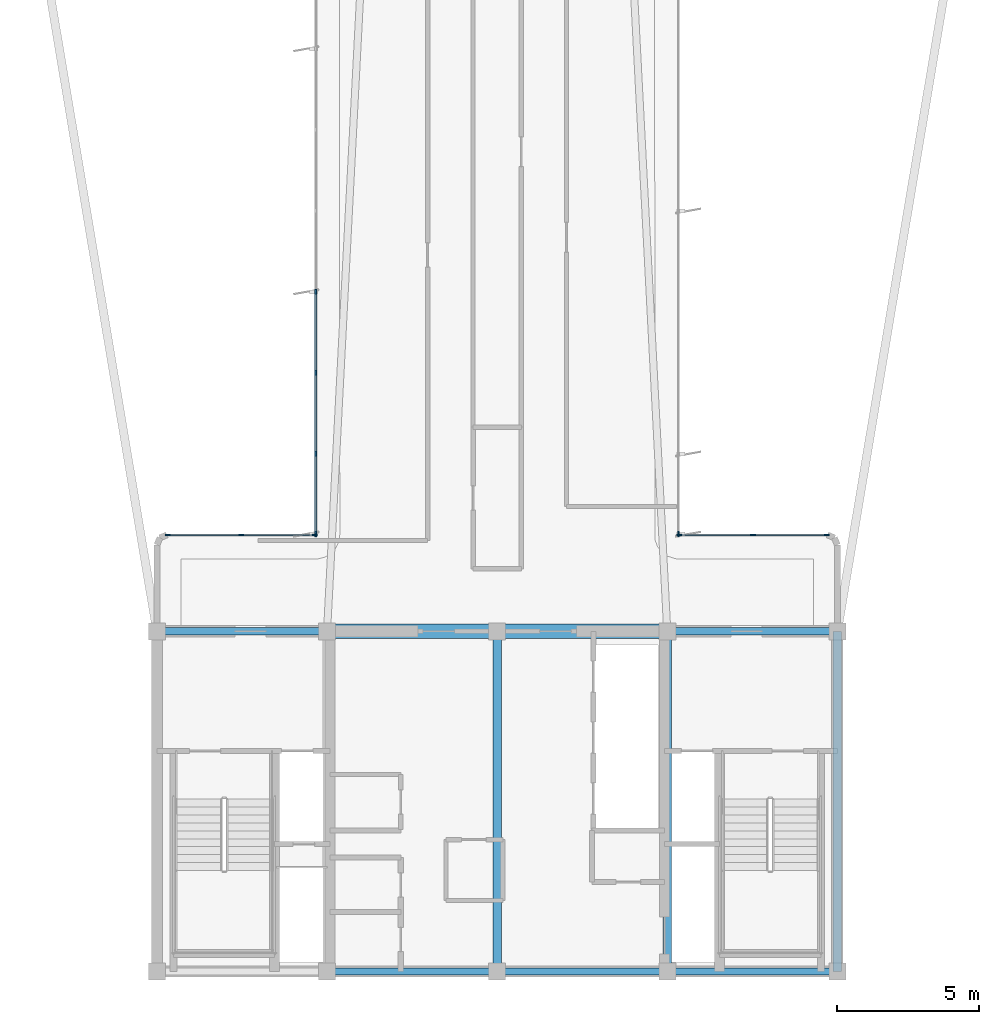
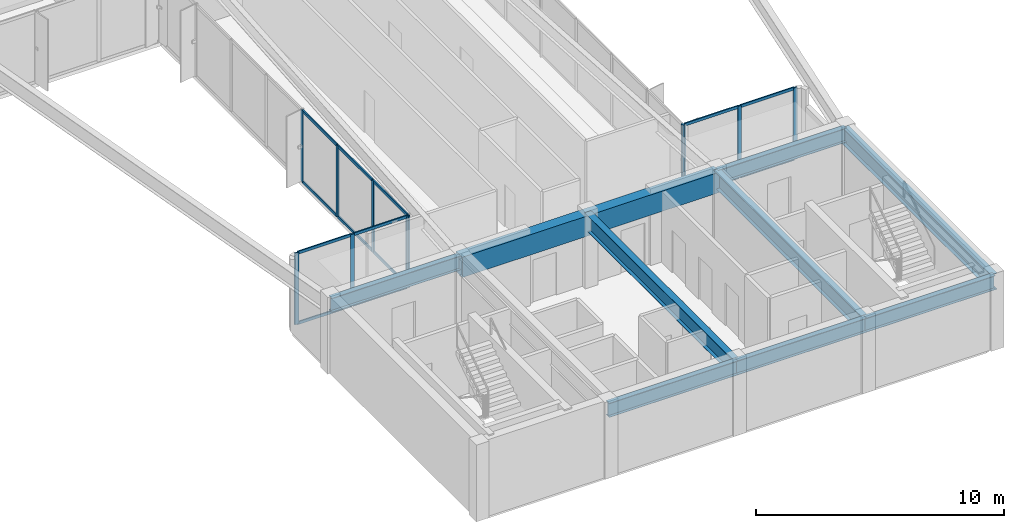
# One storey, part 2 of 15: 25 members, 9 beams, 4 elements without a shape of their own.
"""IFC4 building model written with IfcOpenShell, lengths in metres."""

from ifc_helpers import new_model, si_unit, direction, frame, origin, origin_2d, place, context, subcontext, project, spatial, rectangle, i_section, extrude, source, transform, mapped, material, layer, layer_set, material_profile, profile_set, type_object, element, aggregate, save


model = new_model("IFC4")

# Units and contexts
model_context = context("Model", 3, precision=1e-05, world=origin(), true_north=direction((0.0, 1.0)))
body_context = subcontext(model_context, "Body", "Model", "MODEL_VIEW")
ifc_project = project(units=[si_unit("LENGTHUNIT", "METRE"), si_unit("AREAUNIT", "SQUARE_METRE"), si_unit("VOLUMEUNIT", "CUBIC_METRE"), si_unit("PLANEANGLEUNIT", "RADIAN"), si_unit("MASSUNIT", "GRAM", prefix="KILO")], contexts=[model_context])

# Site, building, storey
site_placement = place(None, origin())
site = spatial("IfcSite", under=ifc_project, at=site_placement, CompositionType="ELEMENT")
building_placement = place(site_placement, origin())
building = spatial("IfcBuilding", under=site, at=building_placement, Name="Brelvock Crest Care Tower", CompositionType="ELEMENT")
storey_placement = place(building_placement, frame((0.0, 0.0, 268.3798828125)))
storey = spatial("IfcBuildingStorey", under=building, at=storey_placement, Name="L68", CompositionType="ELEMENT", Elevation=268.3798828125)

# Beams
ifc_material_1 = material(Name="Steel Grade 350", Category="steel")
ifc_material_profile_1 = material_profile(ifc_material_1, i_section(OverallWidth=0.25, OverallDepth=0.699951171875, WebThickness=0.011962890625, FlangeThickness=0.02001953125, at=origin_2d()), Name="700WB150")
ifc_profile_set_1 = profile_set([ifc_material_profile_1], Name="Steel Grade 350")
beam_type_1 = type_object("IfcBeamType", Name="BM-G4", PredefinedType="BEAM", material=ifc_profile_set_1)
shared_shape_1 = source(origin(), body_context, "Body", "SweptSolid", [
    extrude(i_section(OverallWidth=0.25, OverallDepth=0.699951171875, WebThickness=0.011962890625, FlangeThickness=0.02001953125, at=origin_2d()), origin(), (0.0, 0.0, 1.0), 6.0),
])
for number, where, z_axis, x_axis, name in (
    (1, (24.0, 18.0, 3.18017578125), (1.0, 0.0, 0.0), (0.0, 1.0, 0.0), "BM-COREN-L68-1"),
    (2, (30.0, 6.0, 3.18017578125), (1.0, 0.0, 0.0), (0.0, 1.0, 0.0), "BM-CORES-L68-2"),
    (3, (36.0, 6.0, 3.18017578125), (1.0, 0.0, 0.0), (0.0, 1.0, 0.0), "BM-CORES-L68-3"),
    (4, (42.0, 6.0, 3.18017578125), (1.0, 0.0, 0.0), (0.0, 1.0, 0.0), "BM-CORES-L68-4"),
    (5, (42.0, 18.0, 3.18017578125), (1.0, 0.0, 0.0), (0.0, 1.0, 0.0), "BM-COREN-L68-4"),
):
    element("IfcBeam", number, at=place(storey_placement, frame(where, z_axis=z_axis, x_axis=x_axis)), inside=storey, type_object=beam_type_1, Name=name, PredefinedType="BEAM", context=body_context, shape_type="MappedRepresentation", body=[
        mapped(shared_shape_1, transform((0.0, 0.0, 0.0), x_axis=(1.0, 0.0, 0.0), y_axis=(0.0, 1.0, 0.0), z_axis=(0.0, 0.0, 1.0), scale=1.0)),
    ])
ifc_material_profile_2 = material_profile(ifc_material_1, i_section(OverallWidth=0.300048828125, OverallDepth=0.800048828125, WebThickness=0.013916015625, FlangeThickness=0.02197265625, at=origin_2d()), Name="800WB192")
ifc_profile_set_2 = profile_set([ifc_material_profile_2], Name="Steel Grade 350")
beam_type_2 = type_object("IfcBeamType", Name="BM-G5", PredefinedType="BEAM", material=ifc_profile_set_2)
shared_shape_2 = source(origin(), body_context, "Body", "SweptSolid", [
    extrude(i_section(OverallWidth=0.300048828125, OverallDepth=0.800048828125, WebThickness=0.013916015625, FlangeThickness=0.02197265625, at=origin_2d()), origin(), (0.0, 0.0, 1.0), 12.0),
])
for number, where, z_axis, x_axis, name in (
    (6, (36.0, 6.0, 3.130126953125), (0.0, 1.0, 0.0), (-1.0, 0.0, 0.0), "BM-COREX-L68-3"),
    (7, (42.0, 6.0, 3.130126953125), (0.0, 1.0, 0.0), (-1.0, 0.0, 0.0), "BM-COREX-L68-4"),
    (8, (48.0, 6.0, 3.130126953125), (0.0, 1.0, 0.0), (-1.0, 0.0, 0.0), "BM-COREX-L68-5"),
):
    element("IfcBeam", number, at=place(storey_placement, frame(where, z_axis=z_axis, x_axis=x_axis)), inside=storey, type_object=beam_type_2, Name=name, PredefinedType="BEAM", context=body_context, shape_type="MappedRepresentation", body=[
        mapped(shared_shape_2, transform((0.0, 0.0, 0.0), x_axis=(1.0, 0.0, 0.0), y_axis=(0.0, 1.0, 0.0), z_axis=(0.0, 0.0, 1.0), scale=1.0)),
    ])
ifc_material_2 = material(Name="Concrete S65 (65 MPa)", Category="concrete")
ifc_material_profile_3 = material_profile(ifc_material_2, rectangle(XDim=0.5, YDim=1.0, at=origin_2d()), Name="RC500x1000")
ifc_profile_set_3 = profile_set([ifc_material_profile_3], Name="Concrete S65 (65 MPa)")
beam_type_3 = type_object("IfcBeamType", Name="BM-LN2", PredefinedType="LINTEL", material=ifc_profile_set_3)
shared_shape_3 = source(origin(), body_context, "Body", "SweptSolid", [
    extrude(rectangle(XDim=0.5, YDim=1.0, at=origin_2d()), origin(), (0.0, 0.0, 1.0), 12.0),
])
beam_placement = place(storey_placement, frame((30.0, 18.0, 3.030029296875), z_axis=(1.0, 0.0, 0.0), x_axis=(0.0, 1.0, 0.0)))
element("IfcBeam", 9, at=beam_placement, inside=storey, type_object=beam_type_3, Name="L68 Core Coupling Lintel Beam", PredefinedType="LINTEL", context=body_context, shape_type="MappedRepresentation", body=[
    mapped(shared_shape_3, transform((0.0, 0.0, 0.0), x_axis=(1.0, 0.0, 0.0), y_axis=(0.0, 1.0, 0.0), z_axis=(0.0, 0.0, 1.0), scale=1.0)),
])

# Curtain wall, members
ifc_material_3 = material(Name="Dark Glass Double Glazed Low-E", Category="glass")
ifc_layer = layer(ifc_material_3, 0.239990234375, Name="CWS-5")
ifc_layer_set = layer_set([ifc_layer], Name="Dark Glass Double Glazed Low-E")
curtain_wall_type = type_object("IfcCurtainWallType", Name="CWS-5", PredefinedType="NOTDEFINED", material=ifc_layer_set)
curtain_wall_1_placement = place(storey_placement, origin())
curtain_wall_1 = element("IfcCurtainWall", 10, at=curtain_wall_1_placement, inside=storey, type_object=curtain_wall_type, Name="L68 Curtain Wall E10", PredefinedType="NOTDEFINED")
ifc_material_4 = material(Name="Aluminium 6063-T6", Category="aluminium")
ifc_material_profile_4 = material_profile(ifc_material_4, rectangle(XDim=0.06005859375, YDim=0.179931640625, at=origin_2d()), Name="ALU60x180")
ifc_profile_set_4 = profile_set([ifc_material_profile_4], Name="Aluminium 6063-T6")
member_type_1 = type_object("IfcMemberType", Name="CWM-2", PredefinedType="MULLION", material=ifc_profile_set_4)
shared_shape_4 = source(origin(), body_context, "Body", "SweptSolid", [
    extrude(rectangle(XDim=0.06005859375, YDim=0.179931640625, at=origin_2d()), origin(), (0.0, 0.0, 1.0), 3.530029296875),
])
member_1_placement = place(storey_placement, frame((24.3798828125, 21.39990234375, 0.0), z_axis=(0.0, 0.0, 1.0), x_axis=(0.0, 1.0, 0.0)))
member_1 = element("IfcMember", 11, at=member_1_placement, type_object=member_type_1, Name="CW-5 mullion 1", PredefinedType="MULLION", context=body_context, shape_type="MappedRepresentation", body=[
    mapped(shared_shape_4, transform((0.0, 0.0, 0.0), x_axis=(1.0, 0.0, 0.0), y_axis=(0.0, 1.0, 0.0), z_axis=(0.0, 0.0, 1.0), scale=1.0)),
])
member_2_placement = place(storey_placement, frame((26.97509765625, 21.39990234375, 0.0), z_axis=(0.0, 0.0, 1.0), x_axis=(0.0, 1.0, 0.0)))
member_2 = element("IfcMember", 12, at=member_2_placement, type_object=member_type_1, Name="CW-5 mullion 2", PredefinedType="MULLION", context=body_context, shape_type="MappedRepresentation", body=[
    mapped(shared_shape_4, transform((0.0, 0.0, 0.0), x_axis=(1.0, 0.0, 0.0), y_axis=(0.0, 1.0, 0.0), z_axis=(0.0, 0.0, 1.0), scale=1.0)),
])
member_3_placement = place(storey_placement, frame((29.570068359375, 21.39990234375, 0.0), z_axis=(0.0, 0.0, 1.0), x_axis=(0.0, 1.0, 0.0)))
member_3 = element("IfcMember", 13, at=member_3_placement, type_object=member_type_1, Name="CW-5 mullion 3", PredefinedType="MULLION", context=body_context, shape_type="MappedRepresentation", body=[
    mapped(shared_shape_4, transform((0.0, 0.0, 0.0), x_axis=(1.0, 0.0, 0.0), y_axis=(0.0, 1.0, 0.0), z_axis=(0.0, 0.0, 1.0), scale=1.0)),
])

curtain_wall_2_placement = place(storey_placement, origin())
curtain_wall_2 = element("IfcCurtainWall", 14, at=curtain_wall_2_placement, inside=storey, type_object=curtain_wall_type, Name="L68 Curtain Wall E11", PredefinedType="NOTDEFINED")
member_4_placement = place(storey_placement, frame((29.60009765625, 21.429931640625, 0.0), z_axis=(0.0, 0.0, 1.0), x_axis=(-1.0, 0.0, 0.0)))
member_4 = element("IfcMember", 15, at=member_4_placement, type_object=member_type_1, Name="CW-5 mullion 1", PredefinedType="MULLION", context=body_context, shape_type="MappedRepresentation", body=[
    mapped(shared_shape_4, transform((0.0, 0.0, 0.0), x_axis=(1.0, 0.0, 0.0), y_axis=(0.0, 1.0, 0.0), z_axis=(0.0, 0.0, 1.0), scale=1.0)),
])
member_5_placement = place(storey_placement, frame((29.60009765625, 24.257080078125, 0.0), z_axis=(0.0, 0.0, 1.0), x_axis=(-1.0, 0.0, 0.0)))
member_5 = element("IfcMember", 16, at=member_5_placement, type_object=member_type_1, Name="CW-5 mullion 2", PredefinedType="MULLION", context=body_context, shape_type="MappedRepresentation", body=[
    mapped(shared_shape_4, transform((0.0, 0.0, 0.0), x_axis=(1.0, 0.0, 0.0), y_axis=(0.0, 1.0, 0.0), z_axis=(0.0, 0.0, 1.0), scale=1.0)),
])
member_6_placement = place(storey_placement, frame((29.60009765625, 27.1142578125, 0.0), z_axis=(0.0, 0.0, 1.0), x_axis=(-1.0, 0.0, 0.0)))
member_6 = element("IfcMember", 17, at=member_6_placement, type_object=member_type_1, Name="CW-5 mullion 3", PredefinedType="MULLION", context=body_context, shape_type="MappedRepresentation", body=[
    mapped(shared_shape_4, transform((0.0, 0.0, 0.0), x_axis=(1.0, 0.0, 0.0), y_axis=(0.0, 1.0, 0.0), z_axis=(0.0, 0.0, 1.0), scale=1.0)),
])
member_7_placement = place(storey_placement, frame((29.60009765625, 29.971435546875, 0.0), z_axis=(0.0, 0.0, 1.0), x_axis=(-1.0, 0.0, 0.0)))
member_7 = element("IfcMember", 18, at=member_7_placement, type_object=member_type_1, Name="CW-5 mullion 4", PredefinedType="MULLION", context=body_context, shape_type="MappedRepresentation", body=[
    mapped(shared_shape_4, transform((0.0, 0.0, 0.0), x_axis=(1.0, 0.0, 0.0), y_axis=(0.0, 1.0, 0.0), z_axis=(0.0, 0.0, 1.0), scale=1.0)),
])

# Curtain wall, member
curtain_wall_3_placement = place(storey_placement, origin())
curtain_wall_3 = element("IfcCurtainWall", 19, at=curtain_wall_3_placement, inside=storey, type_object=curtain_wall_type, Name="L68 Curtain Wall E45", PredefinedType="NOTDEFINED")
member_8_placement = place(storey_placement, frame((42.39990234375, 21.429931640625, 0.0), z_axis=(0.0, 0.0, 1.0), x_axis=(1.0, 0.0, 0.0)))
member_8 = element("IfcMember", 20, at=member_8_placement, type_object=member_type_1, Name="CW-5 mullion 8", PredefinedType="MULLION", context=body_context, shape_type="MappedRepresentation", body=[
    mapped(shared_shape_4, transform((0.0, 0.0, 0.0), x_axis=(1.0, 0.0, 0.0), y_axis=(0.0, 1.0, 0.0), z_axis=(0.0, 0.0, 1.0), scale=1.0)),
])
aggregate(curtain_wall_3, [member_8])

# Curtain wall, members
curtain_wall_4_placement = place(storey_placement, origin())
curtain_wall_4 = element("IfcCurtainWall", 21, at=curtain_wall_4_placement, inside=storey, type_object=curtain_wall_type, Name="L68 Curtain Wall E46", PredefinedType="NOTDEFINED")
member_9_placement = place(storey_placement, frame((42.429931640625, 21.39990234375, 0.0), z_axis=(0.0, 0.0, 1.0), x_axis=(0.0, 1.0, 0.0)))
member_9 = element("IfcMember", 22, at=member_9_placement, type_object=member_type_1, Name="CW-5 mullion 1", PredefinedType="MULLION", context=body_context, shape_type="MappedRepresentation", body=[
    mapped(shared_shape_4, transform((0.0, 0.0, 0.0), x_axis=(1.0, 0.0, 0.0), y_axis=(0.0, 1.0, 0.0), z_axis=(0.0, 0.0, 1.0), scale=1.0)),
])
member_10_placement = place(storey_placement, frame((45.02490234375, 21.39990234375, 0.0), z_axis=(0.0, 0.0, 1.0), x_axis=(0.0, 1.0, 0.0)))
member_10 = element("IfcMember", 23, at=member_10_placement, type_object=member_type_1, Name="CW-5 mullion 2", PredefinedType="MULLION", context=body_context, shape_type="MappedRepresentation", body=[
    mapped(shared_shape_4, transform((0.0, 0.0, 0.0), x_axis=(1.0, 0.0, 0.0), y_axis=(0.0, 1.0, 0.0), z_axis=(0.0, 0.0, 1.0), scale=1.0)),
])
member_11_placement = place(storey_placement, frame((47.6201171875, 21.39990234375, 0.0), z_axis=(0.0, 0.0, 1.0), x_axis=(0.0, 1.0, 0.0)))
member_11 = element("IfcMember", 24, at=member_11_placement, type_object=member_type_1, Name="CW-5 mullion 3", PredefinedType="MULLION", context=body_context, shape_type="MappedRepresentation", body=[
    mapped(shared_shape_4, transform((0.0, 0.0, 0.0), x_axis=(1.0, 0.0, 0.0), y_axis=(0.0, 1.0, 0.0), z_axis=(0.0, 0.0, 1.0), scale=1.0)),
])

# Member
ifc_material_profile_5 = material_profile(ifc_material_4, rectangle(XDim=0.06005859375, YDim=0.139892578125, at=origin_2d()), Name="ALU60x140")
ifc_profile_set_5 = profile_set([ifc_material_profile_5], Name="Aluminium 6063-T6")
member_type_2 = type_object("IfcMemberType", Name="CWT-2", PredefinedType="USERDEFINED", material=ifc_profile_set_5)
shared_shape_5 = source(origin(), body_context, "Body", "SweptSolid", [
    extrude(rectangle(XDim=0.06005859375, YDim=0.139892578125, at=origin_2d()), origin(), (0.0, 0.0, 1.0), 2.53515625),
])
member_12_placement = place(storey_placement, frame((24.409912109375, 21.39990234375, 0.030029296875), z_axis=(1.0, 0.0, 0.0), x_axis=(0.0, 1.0, 0.0)))
member_12 = element("IfcMember", 25, at=member_12_placement, type_object=member_type_2, Name="CW-5 transom 1.1", ObjectType="TRANSOM", PredefinedType="USERDEFINED", context=body_context, shape_type="MappedRepresentation", body=[
    mapped(shared_shape_5, transform((0.0, 0.0, 0.0), x_axis=(1.0, 0.0, 0.0), y_axis=(0.0, 1.0, 0.0), z_axis=(0.0, 0.0, 1.0), scale=1.0)),
])

member_13_placement = place(storey_placement, frame((24.409912109375, 21.39990234375, 3.5), z_axis=(1.0, 0.0, 0.0), x_axis=(0.0, 1.0, 0.0)))
member_13 = element("IfcMember", 26, at=member_13_placement, type_object=member_type_2, Name="CW-5 transom 1.2", ObjectType="TRANSOM", PredefinedType="USERDEFINED", context=body_context, shape_type="MappedRepresentation", body=[
    mapped(shared_shape_5, transform((0.0, 0.0, 0.0), x_axis=(1.0, 0.0, 0.0), y_axis=(0.0, 1.0, 0.0), z_axis=(0.0, 0.0, 1.0), scale=1.0)),
])

member_14_placement = place(storey_placement, frame((27.0048828125, 21.39990234375, 0.030029296875), z_axis=(1.0, 0.0, 0.0), x_axis=(0.0, 1.0, 0.0)))
member_14 = element("IfcMember", 27, at=member_14_placement, type_object=member_type_2, Name="CW-5 transom 2.1", ObjectType="TRANSOM", PredefinedType="USERDEFINED", context=body_context, shape_type="MappedRepresentation", body=[
    mapped(shared_shape_5, transform((0.0, 0.0, 0.0), x_axis=(1.0, 0.0, 0.0), y_axis=(0.0, 1.0, 0.0), z_axis=(0.0, 0.0, 1.0), scale=1.0)),
])

member_15_placement = place(storey_placement, frame((27.0048828125, 21.39990234375, 3.5), z_axis=(1.0, 0.0, 0.0), x_axis=(0.0, 1.0, 0.0)))
member_15 = element("IfcMember", 28, at=member_15_placement, type_object=member_type_2, Name="CW-5 transom 2.2", ObjectType="TRANSOM", PredefinedType="USERDEFINED", context=body_context, shape_type="MappedRepresentation", body=[
    mapped(shared_shape_5, transform((0.0, 0.0, 0.0), x_axis=(1.0, 0.0, 0.0), y_axis=(0.0, 1.0, 0.0), z_axis=(0.0, 0.0, 1.0), scale=1.0)),
])

aggregate(curtain_wall_1, [member_1, member_2, member_3, member_12, member_13, member_14, member_15])

member_16_placement = place(storey_placement, frame((42.4599609375, 21.39990234375, 0.030029296875), z_axis=(1.0, 0.0, 0.0), x_axis=(0.0, 1.0, 0.0)))
member_16 = element("IfcMember", 29, at=member_16_placement, type_object=member_type_2, Name="CW-5 transom 1.1", ObjectType="TRANSOM", PredefinedType="USERDEFINED", context=body_context, shape_type="MappedRepresentation", body=[
    mapped(shared_shape_5, transform((0.0, 0.0, 0.0), x_axis=(1.0, 0.0, 0.0), y_axis=(0.0, 1.0, 0.0), z_axis=(0.0, 0.0, 1.0), scale=1.0)),
])

member_17_placement = place(storey_placement, frame((42.4599609375, 21.39990234375, 3.5), z_axis=(1.0, 0.0, 0.0), x_axis=(0.0, 1.0, 0.0)))
member_17 = element("IfcMember", 30, at=member_17_placement, type_object=member_type_2, Name="CW-5 transom 1.2", ObjectType="TRANSOM", PredefinedType="USERDEFINED", context=body_context, shape_type="MappedRepresentation", body=[
    mapped(shared_shape_5, transform((0.0, 0.0, 0.0), x_axis=(1.0, 0.0, 0.0), y_axis=(0.0, 1.0, 0.0), z_axis=(0.0, 0.0, 1.0), scale=1.0)),
])

member_18_placement = place(storey_placement, frame((45.054931640625, 21.39990234375, 0.030029296875), z_axis=(1.0, 0.0, 0.0), x_axis=(0.0, 1.0, 0.0)))
member_18 = element("IfcMember", 31, at=member_18_placement, type_object=member_type_2, Name="CW-5 transom 2.1", ObjectType="TRANSOM", PredefinedType="USERDEFINED", context=body_context, shape_type="MappedRepresentation", body=[
    mapped(shared_shape_5, transform((0.0, 0.0, 0.0), x_axis=(1.0, 0.0, 0.0), y_axis=(0.0, 1.0, 0.0), z_axis=(0.0, 0.0, 1.0), scale=1.0)),
])

member_19_placement = place(storey_placement, frame((45.054931640625, 21.39990234375, 3.5), z_axis=(1.0, 0.0, 0.0), x_axis=(0.0, 1.0, 0.0)))
member_19 = element("IfcMember", 32, at=member_19_placement, type_object=member_type_2, Name="CW-5 transom 2.2", ObjectType="TRANSOM", PredefinedType="USERDEFINED", context=body_context, shape_type="MappedRepresentation", body=[
    mapped(shared_shape_5, transform((0.0, 0.0, 0.0), x_axis=(1.0, 0.0, 0.0), y_axis=(0.0, 1.0, 0.0), z_axis=(0.0, 0.0, 1.0), scale=1.0)),
])

aggregate(curtain_wall_4, [member_9, member_10, member_11, member_16, member_17, member_18, member_19])

shared_shape_6 = source(origin(), body_context, "Body", "SweptSolid", [
    extrude(rectangle(XDim=0.06005859375, YDim=0.139892578125, at=origin_2d()), origin(), (0.0, 0.0, 1.0), 2.76708984375),
])
member_20_placement = place(storey_placement, frame((29.60009765625, 21.4599609375, 0.030029296875), z_axis=(0.0, 1.0, 0.0), x_axis=(-1.0, 0.0, 0.0)))
member_20 = element("IfcMember", 33, at=member_20_placement, type_object=member_type_2, Name="CW-5 transom 1.1", ObjectType="TRANSOM", PredefinedType="USERDEFINED", context=body_context, shape_type="MappedRepresentation", body=[
    mapped(shared_shape_6, transform((0.0, 0.0, 0.0), x_axis=(1.0, 0.0, 0.0), y_axis=(0.0, 1.0, 0.0), z_axis=(0.0, 0.0, 1.0), scale=1.0)),
])

member_21_placement = place(storey_placement, frame((29.60009765625, 21.4599609375, 3.5), z_axis=(0.0, 1.0, 0.0), x_axis=(-1.0, 0.0, 0.0)))
member_21 = element("IfcMember", 34, at=member_21_placement, type_object=member_type_2, Name="CW-5 transom 1.2", ObjectType="TRANSOM", PredefinedType="USERDEFINED", context=body_context, shape_type="MappedRepresentation", body=[
    mapped(shared_shape_6, transform((0.0, 0.0, 0.0), x_axis=(1.0, 0.0, 0.0), y_axis=(0.0, 1.0, 0.0), z_axis=(0.0, 0.0, 1.0), scale=1.0)),
])

shared_shape_7 = source(origin(), body_context, "Body", "SweptSolid", [
    extrude(rectangle(XDim=0.06005859375, YDim=0.139892578125, at=origin_2d()), origin(), (0.0, 0.0, 1.0), 2.797119140625),
])
member_22_placement = place(storey_placement, frame((29.60009765625, 24.287109375, 0.030029296875), z_axis=(0.0, 1.0, 0.0), x_axis=(-1.0, 0.0, 0.0)))
member_22 = element("IfcMember", 35, at=member_22_placement, type_object=member_type_2, Name="CW-5 transom 2.1", ObjectType="TRANSOM", PredefinedType="USERDEFINED", context=body_context, shape_type="MappedRepresentation", body=[
    mapped(shared_shape_7, transform((0.0, 0.0, 0.0), x_axis=(1.0, 0.0, 0.0), y_axis=(0.0, 1.0, 0.0), z_axis=(0.0, 0.0, 1.0), scale=1.0)),
])

member_23_placement = place(storey_placement, frame((29.60009765625, 24.287109375, 3.5), z_axis=(0.0, 1.0, 0.0), x_axis=(-1.0, 0.0, 0.0)))
member_23 = element("IfcMember", 36, at=member_23_placement, type_object=member_type_2, Name="CW-5 transom 2.2", ObjectType="TRANSOM", PredefinedType="USERDEFINED", context=body_context, shape_type="MappedRepresentation", body=[
    mapped(shared_shape_7, transform((0.0, 0.0, 0.0), x_axis=(1.0, 0.0, 0.0), y_axis=(0.0, 1.0, 0.0), z_axis=(0.0, 0.0, 1.0), scale=1.0)),
])

member_24_placement = place(storey_placement, frame((29.60009765625, 27.144287109375, 0.030029296875), z_axis=(0.0, 1.0, 0.0), x_axis=(-1.0, 0.0, 0.0)))
member_24 = element("IfcMember", 37, at=member_24_placement, type_object=member_type_2, Name="CW-5 transom 3.1", ObjectType="TRANSOM", PredefinedType="USERDEFINED", context=body_context, shape_type="MappedRepresentation", body=[
    mapped(shared_shape_7, transform((0.0, 0.0, 0.0), x_axis=(1.0, 0.0, 0.0), y_axis=(0.0, 1.0, 0.0), z_axis=(0.0, 0.0, 1.0), scale=1.0)),
])

member_25_placement = place(storey_placement, frame((29.60009765625, 27.144287109375, 3.5), z_axis=(0.0, 1.0, 0.0), x_axis=(-1.0, 0.0, 0.0)))
member_25 = element("IfcMember", 38, at=member_25_placement, type_object=member_type_2, Name="CW-5 transom 3.2", ObjectType="TRANSOM", PredefinedType="USERDEFINED", context=body_context, shape_type="MappedRepresentation", body=[
    mapped(shared_shape_7, transform((0.0, 0.0, 0.0), x_axis=(1.0, 0.0, 0.0), y_axis=(0.0, 1.0, 0.0), z_axis=(0.0, 0.0, 1.0), scale=1.0)),
])

aggregate(curtain_wall_2, [member_4, member_5, member_6, member_7, member_20, member_21, member_22, member_23, member_24, member_25])

save(model, "model.ifc")
